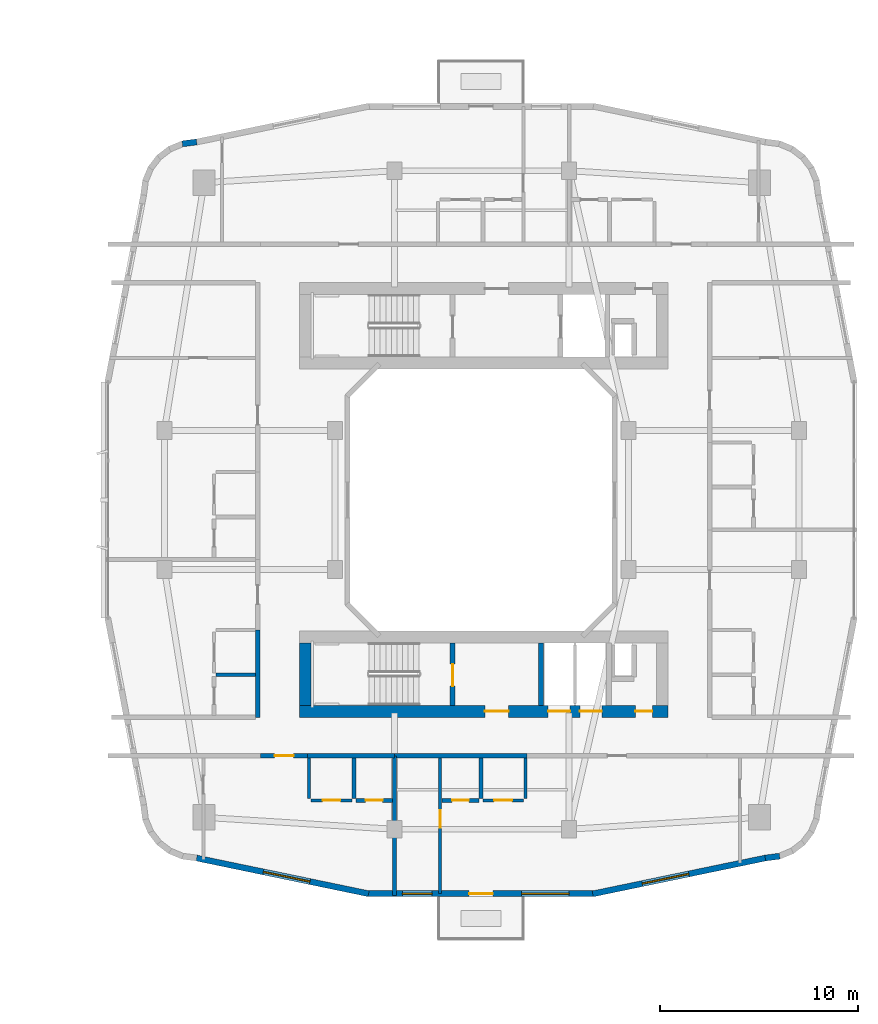
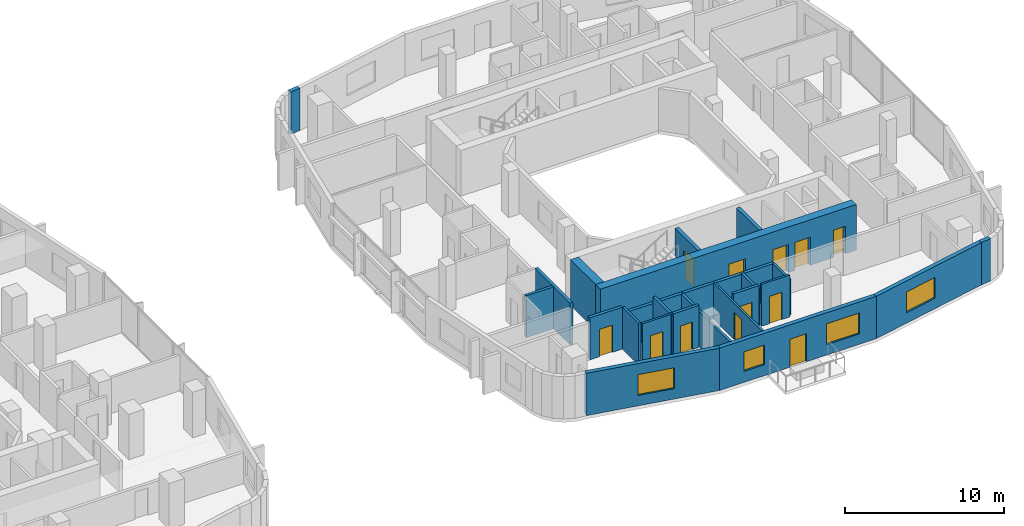
# One storey, part 13 of 22: 24 walls, 12 doors, 4 windows, 16 openings.
"""IFC4 building model written with IfcOpenShell, lengths in metres."""

from ifc_helpers import new_model, si_unit, derived_unit, direction, frame, frame_2d, origin, place, context, subcontext, project, spatial, rectangle, extrude, material, layer, layer_set, type_object, element, fill, save


model = new_model("IFC4")

# Units and contexts
model_context = context("Model", 3, precision=1e-05, world=origin(), true_north=direction((0.0, 1.0)))
body_context = subcontext(model_context, "Body", "Model", "MODEL_VIEW")
ifc_project = project(units=[si_unit("LENGTHUNIT", "METRE"), si_unit("AREAUNIT", "SQUARE_METRE"), si_unit("VOLUMEUNIT", "CUBIC_METRE"), si_unit("PLANEANGLEUNIT", "RADIAN"), si_unit("MASSUNIT", "GRAM", prefix="KILO"), derived_unit("THERMALTRANSMITTANCEUNIT", [(si_unit("POWERUNIT", "WATT"), 1), (si_unit("LENGTHUNIT", "METRE"), -2), (si_unit("THERMODYNAMICTEMPERATUREUNIT", "KELVIN"), -1)])], contexts=[model_context])

# Site, building, storey
site_placement = place(None, origin())
site = spatial("IfcSite", under=ifc_project, at=site_placement, CompositionType="ELEMENT")
building_placement = place(site_placement, origin())
building = spatial("IfcBuilding", under=site, at=building_placement, Name="Kivonza Crest Hotel", CompositionType="ELEMENT")
storey_placement = place(building_placement, frame((0.0, 0.0, 27.5)))
storey = spatial("IfcBuildingStorey", under=building, at=storey_placement, Name="L06", CompositionType="ELEMENT", Elevation=27.5)

# Walls
ifc_material_1 = material(Name="High-density acoustic masonry inter-tenancy wall", Category="masonry")
ifc_layer_1 = layer(ifc_material_1, 0.179931640625)
ifc_layer_set_1 = layer_set([ifc_layer_1], Name="High-density acoustic masonry inter-tenancy wall")
wall_type_1 = type_object("IfcWallType", Name="WL-ACOU-180", PredefinedType="SOLIDWALL", material=ifc_layer_set_1)
wall_1_placement = place(storey_placement, frame((72.60009765625, 5.06005859375, 0.0), z_axis=(0.0, 0.0, 1.0), x_axis=(0.0, 1.0, 0.0)))
element("IfcWall", 1, at=wall_1_placement, inside=storey, type_object=wall_type_1, Name="L06 interior partition WA-L06-T2S-DIV1", PredefinedType="SOLIDWALL", context=body_context, shape_type="SweptSolid", body=[
    extrude(rectangle(XDim=7.0400390625, YDim=0.179931640625, at=frame_2d((3.52001953125, 0.0))), origin(), (0.0, 0.0, 1.0), 2.72509765625),
])
ifc_material_2 = material(Name="Autoclaved aerated concrete blockwork", Category="masonry")
ifc_layer_2 = layer(ifc_material_2, 0.219970703125)
ifc_layer_set_2 = layer_set([ifc_layer_2], Name="Autoclaved aerated concrete blockwork")
wall_type_2 = type_object("IfcWallType", Name="WL-ACOU-220", PredefinedType="SOLIDWALL", material=ifc_layer_set_2)
wall_2_placement = place(storey_placement, frame((68.219970703125, 12.10009765625, 0.0), z_axis=(0.0, 0.0, 1.0), x_axis=(1.0, 0.0, 0.0)))
element("IfcWall", 2, at=wall_2_placement, inside=storey, type_object=wall_type_2, Name="L06 interior partition WA-L06-A03-RCORR", PredefinedType="SOLIDWALL", context=body_context, shape_type="SweptSolid", body=[
    extrude(rectangle(XDim=4.380126953125, YDim=0.219970703125, at=frame_2d((2.18994140625, 0.0))), origin(), (0.0, 0.0, 1.0), 2.72509765625),
])

# Wall, opening, door
wall_3_placement = place(storey_placement, frame((65.85009765625, 12.10009765625, 0.0), z_axis=(0.0, 0.0, 1.0), x_axis=(1.0, 0.0, 0.0)))
wall_3 = element("IfcWall", 3, at=wall_3_placement, inside=storey, type_object=wall_type_2, Name="L06 interior partition WA-L06-A03-MCORR", PredefinedType="SOLIDWALL", context=body_context, shape_type="SweptSolid", body=[
    extrude(rectangle(XDim=2.369873046875, YDim=0.219970703125, at=frame_2d((1.18505859375, 0.0))), origin(), (0.0, 0.0, 1.0), 3.219970703125),
])
opening_1_placement = place(wall_3_placement, frame((0.7099609375, 0.0, 0.0)))
opening_1 = element("IfcOpeningElement", 4, at=opening_1_placement, cuts=wall_3, Name="Opening DU-60", PredefinedType="OPENING", context=body_context, shape_type="SweptSolid", body=[
    extrude(rectangle(XDim=0.949951171875, YDim=2.10009765625, at=frame_2d((0.47509765625, 1.050048828125))), frame((0.0, 0.1201171875, 0.0), z_axis=(0.0, -1.0, 0.0), x_axis=(1.0, 0.0, 0.0)), (0.0, 0.0, 1.0), 0.239990234375),
])
ifc_material_3 = material(Name="Hardwood timber oak", Category="wood")
door_type_1 = type_object("IfcDoorType", Name="DR-UNIT-950", OperationType="NOTDEFINED", PredefinedType="DOOR", material=ifc_material_3)
door_1_placement = place(opening_1_placement, frame((0.949951171875, 0.0, 0.0), z_axis=(0.0, 0.0, 1.0), x_axis=(-1.0, 0.0, 0.0)))
door_1 = element("IfcDoor", 5, at=door_1_placement, inside=storey, type_object=door_type_1, Name="L06 A03 apartment entrance fire door", OperationType="SINGLE_SWING_LEFT", OverallHeight=2.10009765625, OverallWidth=0.949951171875, PredefinedType="DOOR", context=body_context, shape_type="SweptSolid", body=[
    extrude(rectangle(XDim=0.949951171875, YDim=2.10009765625, at=frame_2d((0.47509765625, 1.050048828125))), frame((0.0, 0.02490234375, 0.0), z_axis=(0.0, -1.0, 0.0), x_axis=(1.0, 0.0, 0.0)), (0.0, 0.0, 1.0), 0.050048828125),
])
fill(opening_1, door_1)

# Walls
wall_4_placement = place(storey_placement, frame((72.60009765625, 12.10009765625, 0.0), z_axis=(0.0, 0.0, 1.0), x_axis=(1.0, 0.0, 0.0)))
element("IfcWall", 6, at=wall_4_placement, inside=storey, type_object=wall_type_2, Name="L06 interior partition WA-L06-A04-LCORR", PredefinedType="SOLIDWALL", context=body_context, shape_type="SweptSolid", body=[
    extrude(rectangle(XDim=6.679931640625, YDim=0.219970703125, at=frame_2d((3.33984375, 0.0))), origin(), (0.0, 0.0, 1.0), 2.72509765625),
])
wall_5_placement = place(storey_placement, frame((65.699951171875, 14.0400390625, 0.0), z_axis=(0.0, 0.0, 1.0), x_axis=(0.0, 1.0, 0.0)))
element("IfcWall", 7, at=wall_5_placement, inside=storey, type_object=wall_type_2, Name="L06 interior partition WA-L06-A05-BCORR", PredefinedType="SOLIDWALL", context=body_context, shape_type="SweptSolid", body=[
    extrude(rectangle(XDim=4.39990234375, YDim=0.219970703125, at=frame_2d((2.199951171875, 0.0))), origin(), (0.0, 0.0, 1.0), 3.219970703125),
])

# Wall, openings, doors
ifc_material_4 = material(Name="Concrete C60/75", Category="concrete")
ifc_layer_3 = layer(ifc_material_4, 0.60009765625)
ifc_layer_set_3 = layer_set([ifc_layer_3], Name="Concrete C60/75")
wall_type_3 = type_object("IfcWallType", Name="WL-CORE-600", PredefinedType="SHEAR", material=ifc_layer_set_3)
wall_6_placement = place(storey_placement, frame((67.800048828125, 14.340087890625, 0.0), z_axis=(0.0, 0.0, 1.0), x_axis=(1.0, 0.0, 0.0)))
wall_6 = element("IfcWall", 8, at=wall_6_placement, inside=storey, type_object=wall_type_3, Name="Core wall T2-S South L06", PredefinedType="SHEAR", context=body_context, shape_type="SweptSolid", body=[
    extrude(rectangle(XDim=18.599853515625, YDim=0.60009765625, at=frame_2d((9.2998046875, 0.0))), origin(), (0.0, 0.0, 1.0), 3.5),
])
opening_2_placement = place(wall_6_placement, frame((9.35009765625, 0.0, 0.0)))
opening_2 = element("IfcOpeningElement", 9, at=opening_2_placement, cuts=wall_6, Name="Opening DF-60", PredefinedType="OPENING", context=body_context, shape_type="SweptSolid", body=[
    extrude(rectangle(XDim=1.199951171875, YDim=2.14990234375, at=frame_2d((0.60009765625, 1.074951171875))), frame((0.0, 0.31005859375, 0.0), z_axis=(0.0, -1.0, 0.0), x_axis=(1.0, 0.0, 0.0)), (0.0, 0.0, 1.0), 0.6201171875),
])
opening_3_placement = place(wall_6_placement, frame((16.949951171875, 0.0, 0.0)))
opening_3 = element("IfcOpeningElement", 10, at=opening_3_placement, cuts=wall_6, Name="Opening DF-60R", PredefinedType="OPENING", context=body_context, shape_type="SweptSolid", body=[
    extrude(rectangle(XDim=0.85009765625, YDim=2.10009765625, at=frame_2d((0.425048828125, 1.050048828125))), frame((0.0, 0.31005859375, 0.0), z_axis=(0.0, -1.0, 0.0), x_axis=(1.0, 0.0, 0.0)), (0.0, 0.0, 1.0), 0.6201171875),
])
opening_4_placement = place(wall_6_placement, frame((12.550048828125, 0.0, 0.0)))
opening_4 = element("IfcOpeningElement", 11, at=opening_4_placement, cuts=wall_6, Name="Opening LD-120", PredefinedType="OPENING", context=body_context, shape_type="SweptSolid", body=[
    extrude(rectangle(XDim=1.10009765625, YDim=2.14990234375, at=frame_2d((0.550048828125, 1.074951171875))), frame((0.0, 0.31005859375, 0.0), z_axis=(0.0, -1.0, 0.0), x_axis=(1.0, 0.0, 0.0)), (0.0, 0.0, 1.0), 0.6201171875),
])
opening_5_placement = place(wall_6_placement, frame((14.14990234375, 0.0, 0.0)))
opening_5 = element("IfcOpeningElement", 12, at=opening_5_placement, cuts=wall_6, Name="Opening LD-120", PredefinedType="OPENING", context=body_context, shape_type="SweptSolid", body=[
    extrude(rectangle(XDim=1.10009765625, YDim=2.14990234375, at=frame_2d((0.550048828125, 1.074951171875))), frame((0.0, 0.31005859375, 0.0), z_axis=(0.0, -1.0, 0.0), x_axis=(1.0, 0.0, 0.0)), (0.0, 0.0, 1.0), 0.6201171875),
])
door_type_2 = type_object("IfcDoorType", Name="DR-FD60-1200", OperationType="NOTDEFINED", PredefinedType="DOOR", material=ifc_material_3)
door_2_placement = place(opening_2_placement, frame((1.199951171875, 0.0, 0.0), z_axis=(0.0, 0.0, 1.0), x_axis=(-1.0, 0.0, 0.0)))
door_2 = element("IfcDoor", 13, at=door_2_placement, inside=storey, type_object=door_type_2, Name="L06 T2-S firefighting lobby fire door", OperationType="SINGLE_SWING_LEFT", OverallHeight=2.14990234375, OverallWidth=1.199951171875, PredefinedType="DOOR", context=body_context, shape_type="SweptSolid", body=[
    extrude(rectangle(XDim=1.199951171875, YDim=2.14990234375, at=frame_2d((0.60009765625, 1.074951171875))), frame((0.0, 0.02490234375, 0.0), z_axis=(0.0, -1.0, 0.0), x_axis=(1.0, 0.0, 0.0)), (0.0, 0.0, 1.0), 0.050048828125),
])
fill(opening_2, door_2)
door_type_3 = type_object("IfcDoorType", Name="DR-FD60-850", OperationType="NOTDEFINED", PredefinedType="DOOR", material=ifc_material_3)
door_3_placement = place(opening_3_placement, frame((0.85009765625, 0.0, 0.0), z_axis=(0.0, 0.0, 1.0), x_axis=(-1.0, 0.0, 0.0)))
door_3 = element("IfcDoor", 14, at=door_3_placement, inside=storey, type_object=door_type_3, Name="L06 T2-S core room door", OperationType="SINGLE_SWING_RIGHT", OverallHeight=2.10009765625, OverallWidth=0.85009765625, PredefinedType="DOOR", context=body_context, shape_type="SweptSolid", body=[
    extrude(rectangle(XDim=0.85009765625, YDim=2.10009765625, at=frame_2d((0.425048828125, 1.050048828125))), frame((0.0, 0.02490234375, 0.0), z_axis=(0.0, -1.0, 0.0), x_axis=(1.0, 0.0, 0.0)), (0.0, 0.0, 1.0), 0.050048828125),
])
fill(opening_3, door_3)
ifc_material_5 = material(Name="Stainless steel", Category="steel")
door_type_4 = type_object("IfcDoorType", Name="DR-LD120-1100", OperationType="NOTDEFINED", PredefinedType="DOOR", material=ifc_material_5)
door_4_placement = place(opening_4_placement, frame((1.10009765625, 0.0, 0.0), z_axis=(0.0, 0.0, 1.0), x_axis=(-1.0, 0.0, 0.0)))
door_4 = element("IfcDoor", 15, at=door_4_placement, inside=storey, type_object=door_type_4, Name="L06 PL-T2-1 passenger lift sliding landing door", OperationType="DOUBLE_DOOR_SLIDING", OverallHeight=2.14990234375, OverallWidth=1.10009765625, PredefinedType="DOOR", context=body_context, shape_type="SweptSolid", body=[
    extrude(rectangle(XDim=1.10009765625, YDim=2.14990234375, at=frame_2d((0.550048828125, 1.074951171875))), frame((0.0, 0.02490234375, 0.0), z_axis=(0.0, -1.0, 0.0), x_axis=(1.0, 0.0, 0.0)), (0.0, 0.0, 1.0), 0.050048828125),
])
fill(opening_4, door_4)
door_5_placement = place(opening_5_placement, frame((1.10009765625, 0.0, 0.0), z_axis=(0.0, 0.0, 1.0), x_axis=(-1.0, 0.0, 0.0)))
door_5 = element("IfcDoor", 16, at=door_5_placement, inside=storey, type_object=door_type_4, Name="L06 PL-T2-2 passenger lift sliding landing door", OperationType="DOUBLE_DOOR_SLIDING", OverallHeight=2.14990234375, OverallWidth=1.10009765625, PredefinedType="DOOR", context=body_context, shape_type="SweptSolid", body=[
    extrude(rectangle(XDim=1.10009765625, YDim=2.14990234375, at=frame_2d((0.550048828125, 1.074951171875))), frame((0.0, 0.02490234375, 0.0), z_axis=(0.0, -1.0, 0.0), x_axis=(1.0, 0.0, 0.0)), (0.0, 0.0, 1.0), 0.050048828125),
])
fill(opening_5, door_5)

# Wall
wall_7_placement = place(storey_placement, frame((68.10009765625, 14.639892578125, 0.0), z_axis=(0.0, 0.0, 1.0), x_axis=(0.0, 1.0, 0.0)))
element("IfcWall", 17, at=wall_7_placement, inside=storey, type_object=wall_type_3, Name="Core wall T2-S West L06", PredefinedType="SHEAR", context=body_context, shape_type="SweptSolid", body=[
    extrude(rectangle(XDim=3.16015625, YDim=0.60009765625, at=frame_2d((1.580078125, 0.0))), origin(), (0.0, 0.0, 1.0), 3.5),
])

# Wall, opening, window
ifc_material_6 = material(Name="Precast concrete C40/50", Category="concrete")
ifc_layer_4 = layer(ifc_material_6, 0.300048828125)
ifc_layer_set_4 = layer_set([ifc_layer_4], Name="Precast concrete C40/50")
wall_type_4 = type_object("IfcWallType", Name="WL-EXT-300", PredefinedType="STANDARD", material=ifc_layer_set_4)
wall_8_placement = place(storey_placement, frame((62.6220703125, 6.948974609375, 0.0), z_axis=(0.0, 0.0, 1.0), x_axis=(0.979119654102, -0.203284782882, 0.0)))
wall_8 = element("IfcWall", 18, at=wall_8_placement, inside=storey, type_object=wall_type_4, Name="L06 T2 exterior insulated wall 7", PredefinedType="STANDARD", context=body_context, shape_type="SweptSolid", body=[
    extrude(rectangle(XDim=8.854736328125, YDim=0.300048828125, at=frame_2d((4.42724609375, 0.0))), origin(), (0.0, 0.0, 1.0), 3.25),
])
opening_6_placement = place(wall_8_placement, frame((3.43896484375, 0.0, 0.800048828125)))
opening_6 = element("IfcOpeningElement", 19, at=opening_6_placement, cuts=wall_8, Name="Opening WN-05", PredefinedType="OPENING", context=body_context, shape_type="SweptSolid", body=[
    extrude(rectangle(XDim=2.39990234375, YDim=1.60009765625, at=frame_2d((1.199951171875, 0.800048828125))), frame((0.0, 0.16015625, 0.0), z_axis=(0.0, -1.0, 0.0), x_axis=(1.0, 0.0, 0.0)), (0.0, 0.0, 1.0), 0.320068359375),
])
ifc_material_7 = material(Name="Thermally broken bronze aluminium and low-E double glazing", Category="aluminium")
window_type_1 = type_object("IfcWindowType", Name="WN-240x160", PartitioningType="TRIPLE_PANEL_VERTICAL", PredefinedType="WINDOW", material=ifc_material_7)
window_1_placement = place(opening_6_placement, origin())
window_1 = element("IfcWindow", 20, at=window_1_placement, inside=storey, type_object=window_type_1, Name="L06 T2 facade window 7", OverallHeight=1.60009765625, OverallWidth=2.39990234375, PartitioningType="SINGLE_PANEL", PredefinedType="WINDOW", context=body_context, shape_type="SweptSolid", body=[
    extrude(rectangle(XDim=2.39990234375, YDim=1.60009765625, at=frame_2d((1.199951171875, 0.800048828125))), frame((0.0, 0.030029296875, 0.0), z_axis=(0.0, -1.0, 0.0), x_axis=(1.0, 0.0, 0.0)), (0.0, 0.0, 1.0), 0.06005859375),
])
fill(opening_6, window_1)

# Wall, openings, door, windows
wall_9_placement = place(storey_placement, frame((71.2470703125, 5.14990234375, 0.0), z_axis=(0.0, 0.0, 1.0), x_axis=(1.0, 0.0, 0.0)))
wall_9 = element("IfcWall", 21, at=wall_9_placement, inside=storey, type_object=wall_type_4, Name="L06 T2 exterior insulated wall 8", PredefinedType="STANDARD", context=body_context, shape_type="SweptSolid", body=[
    extrude(rectangle(XDim=11.390869140625, YDim=0.300048828125, at=frame_2d((5.6953125, 0.0))), origin(), (0.0, 0.0, 1.0), 3.25),
])
opening_7_placement = place(wall_9_placement, frame((5.113037109375, 0.0, 0.0)))
opening_7 = element("IfcOpeningElement", 22, at=opening_7_placement, cuts=wall_9, Name="Opening DT-120", PredefinedType="OPENING", context=body_context, shape_type="SweptSolid", body=[
    extrude(rectangle(XDim=1.199951171875, YDim=2.14990234375, at=frame_2d((0.60009765625, 1.074951171875))), frame((0.0, 0.16015625, 0.0), z_axis=(0.0, -1.0, 0.0), x_axis=(1.0, 0.0, 0.0)), (0.0, 0.0, 1.0), 0.320068359375),
])
opening_8_placement = place(wall_9_placement, frame((1.7529296875, 0.0, 0.85009765625)))
opening_8 = element("IfcOpeningElement", 23, at=opening_8_placement, cuts=wall_9, Name="Opening WN-02", PredefinedType="OPENING", context=body_context, shape_type="SweptSolid", body=[
    extrude(rectangle(XDim=1.5, YDim=1.5, at=frame_2d((0.75, 0.75))), frame((0.0, 0.16015625, 0.0), z_axis=(0.0, -1.0, 0.0), x_axis=(1.0, 0.0, 0.0)), (0.0, 0.0, 1.0), 0.320068359375),
])
opening_9_placement = place(wall_9_placement, frame((7.757080078125, 0.0, 0.800048828125)))
opening_9 = element("IfcOpeningElement", 24, at=opening_9_placement, cuts=wall_9, Name="Opening WN-05", PredefinedType="OPENING", context=body_context, shape_type="SweptSolid", body=[
    extrude(rectangle(XDim=2.39990234375, YDim=1.60009765625, at=frame_2d((1.199951171875, 0.800048828125))), frame((0.0, 0.16015625, 0.0), z_axis=(0.0, -1.0, 0.0), x_axis=(1.0, 0.0, 0.0)), (0.0, 0.0, 1.0), 0.320068359375),
])
ifc_material_8 = material(Name="Anodised bronze aluminium and laminated safety glass", Category="aluminium")
door_type_5 = type_object("IfcDoorType", Name="DR-TERR-1200", OperationType="NOTDEFINED", PredefinedType="DOOR", material=ifc_material_8)
door_6_placement = place(opening_7_placement, frame((1.199951171875, 0.0, 0.0), z_axis=(0.0, 0.0, 1.0), x_axis=(-1.0, 0.0, 0.0)))
door_6 = element("IfcDoor", 25, at=door_6_placement, inside=storey, type_object=door_type_5, Name="T2 L06 SW sky-garden bridge access door", OperationType="SINGLE_SWING_RIGHT", OverallHeight=2.14990234375, OverallWidth=1.199951171875, PredefinedType="DOOR", context=body_context, shape_type="SweptSolid", body=[
    extrude(rectangle(XDim=1.199951171875, YDim=2.14990234375, at=frame_2d((0.60009765625, 1.074951171875))), frame((0.0, 0.02490234375, 0.0), z_axis=(0.0, -1.0, 0.0), x_axis=(1.0, 0.0, 0.0)), (0.0, 0.0, 1.0), 0.050048828125),
])
fill(opening_7, door_6)
window_type_2 = type_object("IfcWindowType", Name="WN-150x150", PartitioningType="DOUBLE_PANEL_VERTICAL", PredefinedType="WINDOW", material=ifc_material_7)
window_2_placement = place(opening_8_placement, origin())
window_2 = element("IfcWindow", 26, at=window_2_placement, inside=storey, type_object=window_type_2, Name="L06 T2 facade window 8 bay 1", OverallHeight=1.5, OverallWidth=1.5, PartitioningType="SINGLE_PANEL", PredefinedType="WINDOW", context=body_context, shape_type="SweptSolid", body=[
    extrude(rectangle(XDim=1.5, YDim=1.5, at=frame_2d((0.75, 0.75))), frame((0.0, 0.030029296875, 0.0), z_axis=(0.0, -1.0, 0.0), x_axis=(1.0, 0.0, 0.0)), (0.0, 0.0, 1.0), 0.06005859375),
])
fill(opening_8, window_2)
window_3_placement = place(opening_9_placement, origin())
window_3 = element("IfcWindow", 27, at=window_3_placement, inside=storey, type_object=window_type_1, Name="L06 T2 facade window 8 bay 2", OverallHeight=1.60009765625, OverallWidth=2.39990234375, PartitioningType="SINGLE_PANEL", PredefinedType="WINDOW", context=body_context, shape_type="SweptSolid", body=[
    extrude(rectangle(XDim=2.39990234375, YDim=1.60009765625, at=frame_2d((1.199951171875, 0.800048828125))), frame((0.0, 0.030029296875, 0.0), z_axis=(0.0, -1.0, 0.0), x_axis=(1.0, 0.0, 0.0)), (0.0, 0.0, 1.0), 0.06005859375),
])
fill(opening_9, window_3)

# Wall, opening, window
wall_10_placement = place(storey_placement, frame((82.593994140625, 5.14208984375, 0.0), z_axis=(0.0, 0.0, 1.0), x_axis=(0.979125485139, 0.203256695712, 0.0)))
wall_10 = element("IfcWall", 28, at=wall_10_placement, inside=storey, type_object=wall_type_4, Name="L06 T2 exterior insulated wall 9", PredefinedType="STANDARD", context=body_context, shape_type="SweptSolid", body=[
    extrude(rectangle(XDim=8.8896484375, YDim=0.300048828125, at=frame_2d((4.44482421875, 0.0))), origin(), (0.0, 0.0, 1.0), 3.25),
])
opening_10_placement = place(wall_10_placement, frame((2.548095703125, 0.0, 0.800048828125)))
opening_10 = element("IfcOpeningElement", 29, at=opening_10_placement, cuts=wall_10, Name="Opening WN-05", PredefinedType="OPENING", context=body_context, shape_type="SweptSolid", body=[
    extrude(rectangle(XDim=2.39990234375, YDim=1.60009765625, at=frame_2d((1.199951171875, 0.800048828125))), frame((0.0, 0.16015625, 0.0), z_axis=(0.0, -1.0, 0.0), x_axis=(1.0, 0.0, 0.0)), (0.0, 0.0, 1.0), 0.320068359375),
])
window_4_placement = place(opening_10_placement, origin())
window_4 = element("IfcWindow", 30, at=window_4_placement, inside=storey, type_object=window_type_1, Name="L06 T2 facade window 9", OverallHeight=1.60009765625, OverallWidth=2.39990234375, PartitioningType="SINGLE_PANEL", PredefinedType="WINDOW", context=body_context, shape_type="SweptSolid", body=[
    extrude(rectangle(XDim=2.39990234375, YDim=1.60009765625, at=frame_2d((1.199951171875, 0.800048828125))), frame((0.0, 0.030029296875, 0.0), z_axis=(0.0, -1.0, 0.0), x_axis=(1.0, 0.0, 0.0)), (0.0, 0.0, 1.0), 0.06005859375),
])
fill(opening_10, window_4)

# Walls
wall_11_placement = place(storey_placement, frame((91.29296875, 6.947998046875, 0.0), z_axis=(0.0, 0.0, 1.0), x_axis=(0.991486167159, 0.13021205909, 0.0)))
element("IfcWall", 31, at=wall_11_placement, inside=storey, type_object=wall_type_4, Name="L06 T2 exterior insulated wall 10", PredefinedType="STANDARD", context=body_context, shape_type="SweptSolid", body=[
    extrude(rectangle(XDim=0.729248046875, YDim=0.300048828125, at=frame_2d((0.36474609375, 0.0))), origin(), (0.0, 0.0, 1.0), 3.25),
])
wall_12_placement = place(storey_placement, frame((62.626953125, 43.052001953125, 0.0), z_axis=(0.0, 0.0, 1.0), x_axis=(-0.991480488834, -0.130255288807, 0.0)))
element("IfcWall", 32, at=wall_12_placement, inside=storey, type_object=wall_type_4, Name="L06 T2 exterior insulated wall 28", PredefinedType="STANDARD", context=body_context, shape_type="SweptSolid", body=[
    extrude(rectangle(XDim=0.72900390625, YDim=0.300048828125, at=frame_2d((0.364501953125, 0.0))), origin(), (0.0, 0.0, 1.0), 3.25),
])
ifc_material_9 = material(Name="Twin-stud acoustic gypsum board partition", Category="gypsum")
ifc_layer_5 = layer(ifc_material_9, 0.14990234375)
ifc_layer_set_5 = layer_set([ifc_layer_5], Name="Twin-stud acoustic gypsum board partition")
wall_type_5 = type_object("IfcWallType", Name="WL-PART-150", PredefinedType="PARTITIONING", material=ifc_layer_set_5)
wall_13_placement = place(storey_placement, frame((68.300048828125, 9.949951171875, 0.0), z_axis=(0.0, 0.0, 1.0), x_axis=(0.0, 1.0, 0.0)))
element("IfcWall", 33, at=wall_13_placement, inside=storey, type_object=wall_type_5, Name="L06 interior partition WP-L06-A03-KF", PredefinedType="PARTITIONING", context=body_context, shape_type="SweptSolid", body=[
    extrude(rectangle(XDim=2.050048828125, YDim=0.14990234375, at=frame_2d((1.02490234375, 0.0))), origin(), (0.0, 0.0, 1.0), 3.219970703125),
])

# Wall, opening, door
wall_14_placement = place(storey_placement, frame((68.39990234375, 9.85009765625, 0.0), z_axis=(0.0, 0.0, 1.0), x_axis=(1.0, 0.0, 0.0)))
wall_14 = element("IfcWall", 34, at=wall_14_placement, inside=storey, type_object=wall_type_5, Name="L06 interior partition WP-L06-A03-KSVC", PredefinedType="PARTITIONING", context=body_context, shape_type="SweptSolid", body=[
    extrude(rectangle(XDim=2.050048828125, YDim=0.14990234375, at=frame_2d((1.02490234375, 0.0))), origin(), (0.0, 0.0, 1.0), 3.219970703125),
])
opening_11_placement = place(wall_14_placement, frame((0.574951171875, 0.0, 0.0)))
opening_11 = element("IfcOpeningElement", 35, at=opening_11_placement, cuts=wall_14, Name="Opening DI-90", PredefinedType="OPENING", context=body_context, shape_type="SweptSolid", body=[
    extrude(rectangle(XDim=0.89990234375, YDim=2.10009765625, at=frame_2d((0.449951171875, 1.050048828125))), frame((0.0, 0.0849609375, 0.0), z_axis=(0.0, -1.0, 0.0), x_axis=(1.0, 0.0, 0.0)), (0.0, 0.0, 1.0), 0.169921875),
])
door_type_6 = type_object("IfcDoorType", Name="DR-INT-900", OperationType="NOTDEFINED", PredefinedType="DOOR", material=ifc_material_3)
door_7_placement = place(opening_11_placement, frame((0.89990234375, 0.0, 0.0), z_axis=(0.0, 0.0, 1.0), x_axis=(-1.0, 0.0, 0.0)))
door_7 = element("IfcDoor", 36, at=door_7_placement, inside=storey, type_object=door_type_6, Name="L06 A03 apartment kitchen door", OperationType="SINGLE_SWING_LEFT", OverallHeight=2.10009765625, OverallWidth=0.89990234375, PredefinedType="DOOR", context=body_context, shape_type="SweptSolid", body=[
    extrude(rectangle(XDim=0.89990234375, YDim=2.10009765625, at=frame_2d((0.449951171875, 1.050048828125))), frame((0.0, 0.02490234375, 0.0), z_axis=(0.0, -1.0, 0.0), x_axis=(1.0, 0.0, 0.0)), (0.0, 0.0, 1.0), 0.050048828125),
])
fill(opening_11, door_7)

wall_15_placement = place(storey_placement, frame((74.89990234375, 5.159912109375, 0.0), z_axis=(0.0, 0.0, 1.0), x_axis=(0.0, 1.0, 0.0)))
wall_15 = element("IfcWall", 37, at=wall_15_placement, inside=storey, type_object=wall_type_5, Name="L06 interior partition WP-L06-A04-BDW1", PredefinedType="PARTITIONING", context=body_context, shape_type="SweptSolid", body=[
    extrude(rectangle(XDim=6.840087890625, YDim=0.14990234375, at=frame_2d((3.419921875, 0.0))), origin(), (0.0, 0.0, 1.0), 2.77490234375),
])
opening_12_placement = place(wall_15_placement, frame((3.31005859375, 0.0, 0.0)))
opening_12 = element("IfcOpeningElement", 38, at=opening_12_placement, cuts=wall_15, Name="Opening DI-90", PredefinedType="OPENING", context=body_context, shape_type="SweptSolid", body=[
    extrude(rectangle(XDim=0.89990234375, YDim=2.10009765625, at=frame_2d((0.449951171875, 1.050048828125))), frame((0.0, 0.0849609375, 0.0), z_axis=(0.0, -1.0, 0.0), x_axis=(1.0, 0.0, 0.0)), (0.0, 0.0, 1.0), 0.169921875),
])
door_8_placement = place(opening_12_placement, origin())
door_8 = element("IfcDoor", 39, at=door_8_placement, inside=storey, type_object=door_type_6, Name="L06 A04 bedroom 1 door", OperationType="SINGLE_SWING_LEFT", OverallHeight=2.10009765625, OverallWidth=0.89990234375, PredefinedType="DOOR", context=body_context, shape_type="SweptSolid", body=[
    extrude(rectangle(XDim=0.89990234375, YDim=2.10009765625, at=frame_2d((0.449951171875, 1.050048828125))), frame((0.0, 0.02490234375, 0.0), z_axis=(0.0, -1.0, 0.0), x_axis=(1.0, 0.0, 0.0)), (0.0, 0.0, 1.0), 0.050048828125),
])
fill(opening_12, door_8)

# Wall
wall_16_placement = place(storey_placement, frame((79.199951171875, 9.949951171875, 0.0), z_axis=(0.0, 0.0, 1.0), x_axis=(0.0, 1.0, 0.0)))
element("IfcWall", 40, at=wall_16_placement, inside=storey, type_object=wall_type_5, Name="L06 interior partition WP-L06-A04-KF", PredefinedType="PARTITIONING", context=body_context, shape_type="SweptSolid", body=[
    extrude(rectangle(XDim=2.050048828125, YDim=0.14990234375, at=frame_2d((1.02490234375, 0.0))), origin(), (0.0, 0.0, 1.0), 2.77490234375),
])

# Wall, opening, door
wall_17_placement = place(storey_placement, frame((77.050048828125, 9.85009765625, 0.0), z_axis=(0.0, 0.0, 1.0), x_axis=(1.0, 0.0, 0.0)))
wall_17 = element("IfcWall", 41, at=wall_17_placement, inside=storey, type_object=wall_type_5, Name="L06 interior partition WP-L06-A04-KSVC", PredefinedType="PARTITIONING", context=body_context, shape_type="SweptSolid", body=[
    extrude(rectangle(XDim=2.050048828125, YDim=0.14990234375, at=frame_2d((1.02490234375, 0.0))), origin(), (0.0, 0.0, 1.0), 3.219970703125),
])
opening_13_placement = place(wall_17_placement, frame((0.574951171875, 0.0, 0.0)))
opening_13 = element("IfcOpeningElement", 42, at=opening_13_placement, cuts=wall_17, Name="Opening DI-90", PredefinedType="OPENING", context=body_context, shape_type="SweptSolid", body=[
    extrude(rectangle(XDim=0.89990234375, YDim=2.10009765625, at=frame_2d((0.449951171875, 1.050048828125))), frame((0.0, 0.0849609375, 0.0), z_axis=(0.0, -1.0, 0.0), x_axis=(1.0, 0.0, 0.0)), (0.0, 0.0, 1.0), 0.169921875),
])
door_9_placement = place(opening_13_placement, frame((0.89990234375, 0.0, 0.0), z_axis=(0.0, 0.0, 1.0), x_axis=(-1.0, 0.0, 0.0)))
door_9 = element("IfcDoor", 43, at=door_9_placement, inside=storey, type_object=door_type_6, Name="L06 A04 apartment kitchen door", OperationType="SINGLE_SWING_RIGHT", OverallHeight=2.10009765625, OverallWidth=0.89990234375, PredefinedType="DOOR", context=body_context, shape_type="SweptSolid", body=[
    extrude(rectangle(XDim=0.89990234375, YDim=2.10009765625, at=frame_2d((0.449951171875, 1.050048828125))), frame((0.0, 0.02490234375, 0.0), z_axis=(0.0, -1.0, 0.0), x_axis=(1.0, 0.0, 0.0)), (0.0, 0.0, 1.0), 0.050048828125),
])
fill(opening_13, door_9)

# Wall
ifc_material_10 = material(Name="Moisture-resistant plumbing chase partition wall", Category="gypsum")
ifc_layer_6 = layer(ifc_material_10, 0.199951171875)
ifc_layer_set_6 = layer_set([ifc_layer_6], Name="Moisture-resistant plumbing chase partition wall")
wall_type_6 = type_object("IfcWallType", Name="WL-PLUMB-200", PredefinedType="PLUMBINGWALL", material=ifc_layer_set_6)
wall_18_placement = place(storey_placement, frame((70.550048828125, 9.949951171875, 0.0), z_axis=(0.0, 0.0, 1.0), x_axis=(0.0, 1.0, 0.0)))
element("IfcWall", 44, at=wall_18_placement, inside=storey, type_object=wall_type_6, Name="L06 interior partition WW-L06-A03-BK", PredefinedType="PLUMBINGWALL", context=body_context, shape_type="SweptSolid", body=[
    extrude(rectangle(XDim=2.050048828125, YDim=0.199951171875, at=frame_2d((1.02490234375, 0.0))), origin(), (0.0, 0.0, 1.0), 3.219970703125),
])

# Wall, opening, door
wall_19_placement = place(storey_placement, frame((70.64990234375, 9.85009765625, 0.0), z_axis=(0.0, 0.0, 1.0), x_axis=(1.0, 0.0, 0.0)))
wall_19 = element("IfcWall", 45, at=wall_19_placement, inside=storey, type_object=wall_type_6, Name="L06 interior partition WW-L06-A03-BSVC", PredefinedType="PLUMBINGWALL", context=body_context, shape_type="SweptSolid", body=[
    extrude(rectangle(XDim=1.85009765625, YDim=0.199951171875, at=frame_2d((0.925048828125, 0.0))), origin(), (0.0, 0.0, 1.0), 3.219970703125),
])
opening_14_placement = place(wall_19_placement, frame((0.5, 0.0, 0.0)))
opening_14 = element("IfcOpeningElement", 46, at=opening_14_placement, cuts=wall_19, Name="Opening DI-85", PredefinedType="OPENING", context=body_context, shape_type="SweptSolid", body=[
    extrude(rectangle(XDim=0.85009765625, YDim=2.10009765625, at=frame_2d((0.425048828125, 1.050048828125))), frame((0.0, 0.10986328125, 0.0), z_axis=(0.0, -1.0, 0.0), x_axis=(1.0, 0.0, 0.0)), (0.0, 0.0, 1.0), 0.219970703125),
])
door_type_7 = type_object("IfcDoorType", Name="DR-INT-850", OperationType="NOTDEFINED", PredefinedType="DOOR", material=ifc_material_3)
door_10_placement = place(opening_14_placement, frame((0.85009765625, 0.0, 0.0), z_axis=(0.0, 0.0, 1.0), x_axis=(-1.0, 0.0, 0.0)))
door_10 = element("IfcDoor", 47, at=door_10_placement, inside=storey, type_object=door_type_7, Name="L06 A03 apartment bathroom door", OperationType="SINGLE_SWING_RIGHT", OverallHeight=2.10009765625, OverallWidth=0.85009765625, PredefinedType="DOOR", context=body_context, shape_type="SweptSolid", body=[
    extrude(rectangle(XDim=0.85009765625, YDim=2.10009765625, at=frame_2d((0.425048828125, 1.050048828125))), frame((0.0, 0.02490234375, 0.0), z_axis=(0.0, -1.0, 0.0), x_axis=(1.0, 0.0, 0.0)), (0.0, 0.0, 1.0), 0.050048828125),
])
fill(opening_14, door_10)

# Wall
wall_20_placement = place(storey_placement, frame((76.949951171875, 9.949951171875, 0.0), z_axis=(0.0, 0.0, 1.0), x_axis=(0.0, 1.0, 0.0)))
element("IfcWall", 48, at=wall_20_placement, inside=storey, type_object=wall_type_6, Name="L06 interior partition WW-L06-A04-BK", PredefinedType="PLUMBINGWALL", context=body_context, shape_type="SweptSolid", body=[
    extrude(rectangle(XDim=2.050048828125, YDim=0.199951171875, at=frame_2d((1.02490234375, 0.0))), origin(), (0.0, 0.0, 1.0), 2.77490234375),
])

# Wall, opening, door
wall_21_placement = place(storey_placement, frame((75.0, 9.85009765625, 0.0), z_axis=(0.0, 0.0, 1.0), x_axis=(1.0, 0.0, 0.0)))
wall_21 = element("IfcWall", 49, at=wall_21_placement, inside=storey, type_object=wall_type_6, Name="L06 interior partition WW-L06-A04-BSVC", PredefinedType="PLUMBINGWALL", context=body_context, shape_type="SweptSolid", body=[
    extrude(rectangle(XDim=1.85009765625, YDim=0.199951171875, at=frame_2d((0.925048828125, 0.0))), origin(), (0.0, 0.0, 1.0), 3.219970703125),
])
opening_15_placement = place(wall_21_placement, frame((0.5, 0.0, 0.0)))
opening_15 = element("IfcOpeningElement", 50, at=opening_15_placement, cuts=wall_21, Name="Opening DI-85", PredefinedType="OPENING", context=body_context, shape_type="SweptSolid", body=[
    extrude(rectangle(XDim=0.85009765625, YDim=2.10009765625, at=frame_2d((0.425048828125, 1.050048828125))), frame((0.0, 0.10986328125, 0.0), z_axis=(0.0, -1.0, 0.0), x_axis=(1.0, 0.0, 0.0)), (0.0, 0.0, 1.0), 0.219970703125),
])
door_11_placement = place(opening_15_placement, frame((0.85009765625, 0.0, 0.0), z_axis=(0.0, 0.0, 1.0), x_axis=(-1.0, 0.0, 0.0)))
door_11 = element("IfcDoor", 51, at=door_11_placement, inside=storey, type_object=door_type_7, Name="L06 A04 apartment bathroom door", OperationType="SINGLE_SWING_LEFT", OverallHeight=2.10009765625, OverallWidth=0.85009765625, PredefinedType="DOOR", context=body_context, shape_type="SweptSolid", body=[
    extrude(rectangle(XDim=0.85009765625, YDim=2.10009765625, at=frame_2d((0.425048828125, 1.050048828125))), frame((0.0, 0.02490234375, 0.0), z_axis=(0.0, -1.0, 0.0), x_axis=(1.0, 0.0, 0.0)), (0.0, 0.0, 1.0), 0.050048828125),
])
fill(opening_15, door_11)

# Wall
wall_22_placement = place(storey_placement, frame((63.60009765625, 16.18994140625, 0.0), z_axis=(0.0, 0.0, 1.0), x_axis=(1.0, 0.0, 0.0)))
element("IfcWall", 52, at=wall_22_placement, inside=storey, type_object=wall_type_6, Name="L06 interior partition WW-L06-A05-BK", PredefinedType="PLUMBINGWALL", context=body_context, shape_type="SweptSolid", body=[
    extrude(rectangle(XDim=2.0, YDim=0.199951171875, at=frame_2d((1.0, 0.0))), origin(), (0.0, 0.0, 1.0), 3.219970703125),
])

# Wall, opening, door
ifc_material_11 = material(Name="Concrete C50/60", Category="concrete")
ifc_layer_7 = layer(ifc_material_11, 0.25)
ifc_layer_set_7 = layer_set([ifc_layer_7], Name="Concrete C50/60")
wall_type_7 = type_object("IfcWallType", Name="WL-SHAFT-250", PredefinedType="STANDARD", material=ifc_layer_set_7)
wall_23_placement = place(storey_placement, frame((75.52490234375, 14.639892578125, 0.0), z_axis=(0.0, 0.0, 1.0), x_axis=(0.0, 1.0, 0.0)))
wall_23 = element("IfcWall", 53, at=wall_23_placement, inside=storey, type_object=wall_type_7, Name="Core shaft wall T2-S STAIR L06", PredefinedType="STANDARD", context=body_context, shape_type="SweptSolid", body=[
    extrude(rectangle(XDim=3.16015625, YDim=0.25, at=frame_2d((1.580078125, 0.0))), origin(), (0.0, 0.0, 1.0), 3.25),
])
opening_16_placement = place(wall_23_placement, frame((0.97998046875, 0.0, 0.0)))
opening_16 = element("IfcOpeningElement", 54, at=opening_16_placement, cuts=wall_23, Name="Opening DF-120", PredefinedType="OPENING", context=body_context, shape_type="SweptSolid", body=[
    extrude(rectangle(XDim=1.10009765625, YDim=2.14990234375, at=frame_2d((0.550048828125, 1.074951171875))), frame((0.0, 0.135009765625, 0.0), z_axis=(0.0, -1.0, 0.0), x_axis=(1.0, 0.0, 0.0)), (0.0, 0.0, 1.0), 0.27001953125),
])
ifc_material_12 = material(Name="Galvanised steel", Category="steel")
door_type_8 = type_object("IfcDoorType", Name="DR-FD120-1100", OperationType="NOTDEFINED", PredefinedType="DOOR", material=ifc_material_12)
door_12_placement = place(opening_16_placement, frame((1.10009765625, 0.0, 0.0), z_axis=(0.0, 0.0, 1.0), x_axis=(-1.0, 0.0, 0.0)))
door_12 = element("IfcDoor", 55, at=door_12_placement, inside=storey, type_object=door_type_8, Name="L06 T2-S stair fire door", OperationType="SINGLE_SWING_RIGHT", OverallHeight=2.14990234375, OverallWidth=1.10009765625, PredefinedType="DOOR", context=body_context, shape_type="SweptSolid", body=[
    extrude(rectangle(XDim=1.10009765625, YDim=2.14990234375, at=frame_2d((0.550048828125, 1.074951171875))), frame((0.0, 0.02490234375, 0.0), z_axis=(0.0, -1.0, 0.0), x_axis=(1.0, 0.0, 0.0)), (0.0, 0.0, 1.0), 0.050048828125),
])
fill(opening_16, door_12)

# Wall
wall_24_placement = place(storey_placement, frame((79.97509765625, 14.639892578125, 0.0), z_axis=(0.0, 0.0, 1.0), x_axis=(0.0, 1.0, 0.0)))
element("IfcWall", 56, at=wall_24_placement, inside=storey, type_object=wall_type_7, Name="Core shaft wall T2-S BANK-W L06", PredefinedType="STANDARD", context=body_context, shape_type="SweptSolid", body=[
    extrude(rectangle(XDim=3.16015625, YDim=0.25, at=frame_2d((1.580078125, 0.0))), origin(), (0.0, 0.0, 1.0), 3.25),
])

save(model, "model.ifc")
